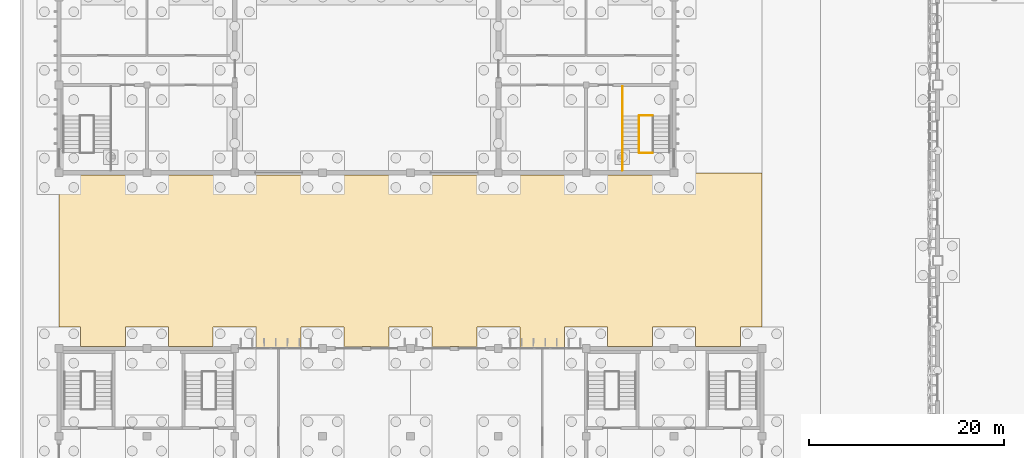
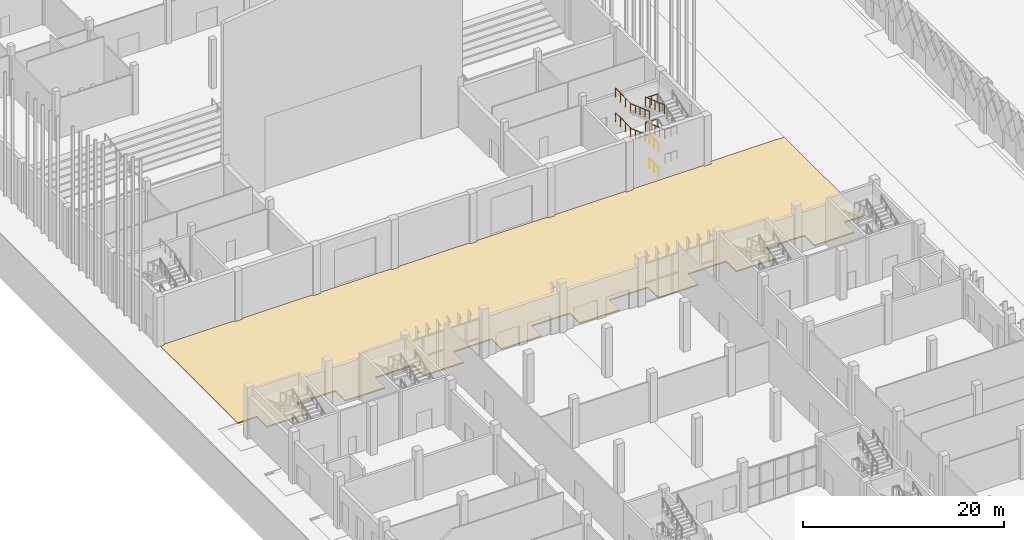
# One storey, part 149 of 198: 12 railings, 1 covering.
"""IFC4 building model written with IfcOpenShell, lengths in metres."""

from ifc_helpers import new_model, si_unit, direction, frame, origin, origin_2d, place, context, subcontext, project, spatial, polyline, circle, outline, extrude, material, layer, layer_set, constituent, constituent_set, type_object, element, save


model = new_model("IFC4")

# Units and contexts
model_context = context("Model", 3, precision=1e-05, world=origin(), true_north=direction((0.0, 1.0)))
body_context = subcontext(model_context, "Body", "Model", "MODEL_VIEW")
ifc_project = project(units=[si_unit("LENGTHUNIT", "METRE"), si_unit("AREAUNIT", "SQUARE_METRE"), si_unit("VOLUMEUNIT", "CUBIC_METRE"), si_unit("PLANEANGLEUNIT", "RADIAN"), si_unit("MASSUNIT", "GRAM", prefix="KILO")], contexts=[model_context])

# Site, building, storey
site_placement = place(None, origin())
site = spatial("IfcSite", under=ifc_project, at=site_placement, CompositionType="ELEMENT")
building_placement = place(site_placement, origin())
building = spatial("IfcBuilding", under=site, at=building_placement, Name="Opaline Strait Convention Centre", CompositionType="ELEMENT")
storey_placement = place(building_placement, origin())
storey = spatial("IfcBuildingStorey", under=building, at=storey_placement, Name="L00", CompositionType="ELEMENT", Elevation=0.0)

# Covering
ifc_material_1 = material(Name="Asphalt road surfacing")
ifc_layer = layer(ifc_material_1, 0.14990234375)
ifc_layer_set = layer_set([ifc_layer], Name="Asphalt road surfacing")
covering_type = type_object("IfcCoveringType", Name="Asphalt road surfacing 150", PredefinedType="FLOORING", material=ifc_layer_set)
covering_placement = place(storey_placement, frame((0.0, 0.0, -0.14990234375)))
element("IfcCovering", 1, at=covering_placement, inside=storey, type_object=covering_type, Name="External Stage Dock Lane surfacing", PredefinedType="FLOORING", context=body_context, shape_type="SweptSolid", body=[
    extrude(outline(polyline([(81.0, 101.205078125), (81.0, 117.0), (72.405029296875, 117.0), (72.405029296875, 116.594970703125), (71.594970703125, 116.594970703125), (71.594970703125, 116.7451171875), (63.405029296875, 116.7451171875), (63.405029296875, 116.594970703125), (62.594970703125, 116.594970703125), (62.594970703125, 116.7451171875), (54.405029296875, 116.7451171875), (54.405029296875, 116.594970703125), (53.594970703125, 116.594970703125), (53.594970703125, 116.7451171875), (45.405029296875, 116.7451171875), (45.405029296875, 116.594970703125), (44.594970703125, 116.594970703125), (44.594970703125, 116.7451171875), (36.405029296875, 116.7451171875), (36.405029296875, 116.594970703125), (35.594970703125, 116.594970703125), (35.594970703125, 116.7451171875), (27.405029296875, 116.7451171875), (27.405029296875, 116.594970703125), (26.594970703125, 116.594970703125), (26.594970703125, 116.7451171875), (18.405029296875, 116.7451171875), (18.405029296875, 116.594970703125), (17.594970703125, 116.594970703125), (17.594970703125, 116.7451171875), (9.405029296875, 116.7451171875), (9.405029296875, 116.594970703125), (9.0, 116.594970703125), (9.0, 101.205078125), (11.205078125, 101.205078125), (11.205078125, 99.205078125), (15.794921875, 99.205078125), (15.794921875, 101.205078125), (20.205078125, 101.205078125), (20.205078125, 99.205078125), (24.794921875, 99.205078125), (24.794921875, 101.205078125), (29.205078125, 101.205078125), (29.205078125, 99.10498046875), (33.794921875, 99.10498046875), (33.794921875, 101.205078125), (38.205078125, 101.205078125), (38.205078125, 99.205078125), (42.794921875, 99.205078125), (42.794921875, 101.205078125), (47.205078125, 101.205078125), (47.205078125, 99.205078125), (51.794921875, 99.205078125), (51.794921875, 101.205078125), (56.205078125, 101.205078125), (56.205078125, 99.10498046875), (60.794921875, 99.10498046875), (60.794921875, 101.205078125), (65.205078125, 101.205078125), (65.205078125, 99.205078125), (69.794921875, 99.205078125), (69.794921875, 101.205078125), (74.205078125, 101.205078125), (74.205078125, 99.205078125), (78.794921875, 99.205078125), (78.794921875, 101.205078125), (81.0, 101.205078125)])), origin(), (0.0, 0.0, 1.0), 0.14990234375),
])

# Railings
ifc_material_2 = material(Name="Steel Q355B", Category="steel")
ifc_constituent_1 = constituent(ifc_material_2, Name="Frame")
ifc_material_3 = material(Name="Safety glass, bonded interlayer", Category="glass")
ifc_constituent_2 = constituent(ifc_material_3, Name="Infill")
ifc_constituent_set = constituent_set(constituents=[ifc_constituent_1, ifc_constituent_2], Name="Steel Q355B, Safety glass, bonded interlayer")
railing_type_1 = type_object("IfcRailingType", Name="Seating guard 1100 steel and glass", PredefinedType="GUARDRAIL", material=ifc_constituent_set)
railing_1_placement = place(storey_placement, frame((69.800048828125, 122.8798828125, 1.5)))
element("IfcRailing", 2, at=railing_1_placement, inside=storey, type_object=railing_type_1, Name="L00 PSR2 stair guard 2", PredefinedType="GUARDRAIL", context=body_context, shape_type="SweptSolid", body=[
    extrude(circle(Radius=0.02392578125, at=origin_2d()), frame((0.0, 0.0, 1.076171875), z_axis=(-1.0, 0.0, 0.0), x_axis=(0.0, -1.0, 0.0)), (0.0, 0.0, 1.0), 1.35009765625),
    extrude(circle(Radius=0.02099609375, at=origin_2d()), origin(), (0.0, 0.0, 1.0), 1.052001953125),
    extrude(circle(Radius=0.02099609375, at=origin_2d()), frame((-0.675048828125, 0.0, 0.0)), (0.0, 0.0, 1.0), 1.052001953125),
    extrude(circle(Radius=0.02099609375, at=origin_2d()), frame((-1.35009765625, 0.0, 0.0)), (0.0, 0.0, 1.0), 1.052001953125),
])
railing_2_placement = place(storey_placement, frame((66.699951171875, 122.830078125, 1.5)))
element("IfcRailing", 3, at=railing_2_placement, inside=storey, type_object=railing_type_1, Name="L00 PSR2 stair guard 3", PredefinedType="GUARDRAIL", context=body_context, shape_type="SweptSolid", body=[
    extrude(circle(Radius=0.02392578125, at=origin_2d()), frame((0.0, 0.0, 1.076171875), z_axis=(0.0, 1.0, 0.0), x_axis=(-1.0, 0.0, 0.0)), (0.0, 0.0, 1.0), 3.02001953125),
    extrude(circle(Radius=0.02099609375, at=origin_2d()), origin(), (0.0, 0.0, 1.0), 1.052001953125),
    extrude(circle(Radius=0.02099609375, at=origin_2d()), frame((0.0, 1.006591796875, 0.0)), (0.0, 0.0, 1.0), 1.052001953125),
    extrude(circle(Radius=0.02099609375, at=origin_2d()), frame((0.0, 2.013427734375, 0.0)), (0.0, 0.0, 1.0), 1.052001953125),
    extrude(circle(Radius=0.02099609375, at=origin_2d()), frame((0.0, 3.02001953125, 0.0)), (0.0, 0.0, 1.0), 1.052001953125),
])
railing_3_placement = place(storey_placement, frame((68.39990234375, 122.830078125, 1.64990234375)))
element("IfcRailing", 4, at=railing_3_placement, inside=storey, type_object=railing_type_1, Name="L00 PSR2 stair guard 4", PredefinedType="GUARDRAIL", context=body_context, shape_type="SweptSolid", body=[
    extrude(circle(Radius=0.02392578125, at=origin_2d()), frame((0.0, 0.0, 1.076171875), z_axis=(0.0, -0.941735030876, 0.336355662388), x_axis=(1.0, 0.0, 0.0)), (0.0, 0.0, 1.0), 4.013916015625),
    extrude(circle(Radius=0.02099609375, at=origin_2d()), origin(), (0.0, 0.0, 1.0), 1.052001953125),
    extrude(circle(Radius=0.02099609375, at=origin_2d()), frame((0.0, -0.945068359375, 0.33740234375)), (0.0, 0.0, 1.0), 1.052001953125),
    extrude(circle(Radius=0.02099609375, at=origin_2d()), frame((0.0, -1.89013671875, 0.675048828125)), (0.0, 0.0, 1.0), 1.052001953125),
    extrude(circle(Radius=0.02099609375, at=origin_2d()), frame((0.0, -2.8349609375, 1.0126953125)), (0.0, 0.0, 1.0), 1.052001953125),
    extrude(circle(Radius=0.02099609375, at=origin_2d()), frame((0.0, -3.780029296875, 1.35009765625)), (0.0, 0.0, 1.0), 1.052001953125),
])
railing_4_placement = place(storey_placement, frame((69.800048828125, 119.0, 3.0)))
element("IfcRailing", 5, at=railing_4_placement, inside=storey, type_object=railing_type_1, Name="L00 PSR2 stair guard 5", PredefinedType="GUARDRAIL", context=body_context, shape_type="SweptSolid", body=[
    extrude(circle(Radius=0.02392578125, at=origin_2d()), frame((0.0, 0.0, 1.076171875), z_axis=(-1.0, 0.0, 0.0), x_axis=(0.0, -1.0, 0.0)), (0.0, 0.0, 1.0), 1.35009765625),
    extrude(circle(Radius=0.02099609375, at=origin_2d()), origin(), (0.0, 0.0, 1.0), 1.052001953125),
    extrude(circle(Radius=0.02099609375, at=origin_2d()), frame((-0.675048828125, 0.0, 0.0)), (0.0, 0.0, 1.0), 1.052001953125),
    extrude(circle(Radius=0.02099609375, at=origin_2d()), frame((-1.35009765625, 0.0, 0.0)), (0.0, 0.0, 1.0), 1.052001953125),
])
railing_5_placement = place(storey_placement, frame((66.699951171875, 117.25, 3.0)))
element("IfcRailing", 6, at=railing_5_placement, inside=storey, type_object=railing_type_1, Name="L00 PSR2 stair guard 6", PredefinedType="GUARDRAIL", context=body_context, shape_type="SweptSolid", body=[
    extrude(circle(Radius=0.02392578125, at=origin_2d()), frame((0.0, 0.0, 1.076171875), z_axis=(0.0, 1.0, 0.0), x_axis=(-1.0, 0.0, 0.0)), (0.0, 0.0, 1.0), 1.800048828125),
    extrude(circle(Radius=0.02099609375, at=origin_2d()), origin(), (0.0, 0.0, 1.0), 1.052001953125),
    extrude(circle(Radius=0.02099609375, at=origin_2d()), frame((0.0, 0.89990234375, 0.0)), (0.0, 0.0, 1.0), 1.052001953125),
    extrude(circle(Radius=0.02099609375, at=origin_2d()), frame((0.0, 1.800048828125, 0.0)), (0.0, 0.0, 1.0), 1.052001953125),
])
railing_6_placement = place(storey_placement, frame((69.800048828125, 122.8798828125, 4.5)))
element("IfcRailing", 7, at=railing_6_placement, inside=storey, type_object=railing_type_1, Name="L00 PSR2 stair guard 8", PredefinedType="GUARDRAIL", context=body_context, shape_type="SweptSolid", body=[
    extrude(circle(Radius=0.02392578125, at=origin_2d()), frame((0.0, 0.0, 1.076171875), z_axis=(-1.0, 0.0, 0.0), x_axis=(0.0, -1.0, 0.0)), (0.0, 0.0, 1.0), 1.35009765625),
    extrude(circle(Radius=0.02099609375, at=origin_2d()), origin(), (0.0, 0.0, 1.0), 1.052001953125),
    extrude(circle(Radius=0.02099609375, at=origin_2d()), frame((-0.675048828125, 0.0, 0.0)), (0.0, 0.0, 1.0), 1.052001953125),
    extrude(circle(Radius=0.02099609375, at=origin_2d()), frame((-1.35009765625, 0.0, 0.0)), (0.0, 0.0, 1.0), 1.052001953125),
])
railing_7_placement = place(storey_placement, frame((66.699951171875, 122.830078125, 4.5)))
element("IfcRailing", 8, at=railing_7_placement, inside=storey, type_object=railing_type_1, Name="L00 PSR2 stair guard 9", PredefinedType="GUARDRAIL", context=body_context, shape_type="SweptSolid", body=[
    extrude(circle(Radius=0.02392578125, at=origin_2d()), frame((0.0, 0.0, 1.076171875), z_axis=(0.0, 1.0, 0.0), x_axis=(-1.0, 0.0, 0.0)), (0.0, 0.0, 1.0), 3.02001953125),
    extrude(circle(Radius=0.02099609375, at=origin_2d()), origin(), (0.0, 0.0, 1.0), 1.052001953125),
    extrude(circle(Radius=0.02099609375, at=origin_2d()), frame((0.0, 1.006591796875, 0.0)), (0.0, 0.0, 1.0), 1.052001953125),
    extrude(circle(Radius=0.02099609375, at=origin_2d()), frame((0.0, 2.013427734375, 0.0)), (0.0, 0.0, 1.0), 1.052001953125),
    extrude(circle(Radius=0.02099609375, at=origin_2d()), frame((0.0, 3.02001953125, 0.0)), (0.0, 0.0, 1.0), 1.052001953125),
])
railing_8_placement = place(storey_placement, frame((68.39990234375, 122.830078125, 4.64990234375)))
element("IfcRailing", 9, at=railing_8_placement, inside=storey, type_object=railing_type_1, Name="L00 PSR2 stair guard 10", PredefinedType="GUARDRAIL", context=body_context, shape_type="SweptSolid", body=[
    extrude(circle(Radius=0.02392578125, at=origin_2d()), frame((0.0, 0.0, 1.076171875), z_axis=(0.0, -0.941735030876, 0.336355662388), x_axis=(1.0, 0.0, 0.0)), (0.0, 0.0, 1.0), 4.013916015625),
    extrude(circle(Radius=0.02099609375, at=origin_2d()), origin(), (0.0, 0.0, 1.0), 1.052001953125),
    extrude(circle(Radius=0.02099609375, at=origin_2d()), frame((0.0, -0.945068359375, 0.33740234375)), (0.0, 0.0, 1.0), 1.052001953125),
    extrude(circle(Radius=0.02099609375, at=origin_2d()), frame((0.0, -1.89013671875, 0.675048828125)), (0.0, 0.0, 1.0), 1.052001953125),
    extrude(circle(Radius=0.02099609375, at=origin_2d()), frame((0.0, -2.8349609375, 1.0126953125)), (0.0, 0.0, 1.0), 1.052001953125),
    extrude(circle(Radius=0.02099609375, at=origin_2d()), frame((0.0, -3.780029296875, 1.35009765625)), (0.0, 0.0, 1.0), 1.052001953125),
])
railing_9_placement = place(storey_placement, frame((69.800048828125, 119.0, 0.0)))
element("IfcRailing", 10, at=railing_9_placement, inside=storey, type_object=railing_type_1, Name="L00 PSR2 stair guard 11", PredefinedType="GUARDRAIL", context=body_context, shape_type="SweptSolid", body=[
    extrude(circle(Radius=0.02392578125, at=origin_2d()), frame((0.0, 0.0, 1.076171875), z_axis=(-1.0, 0.0, 0.0), x_axis=(0.0, -1.0, 0.0)), (0.0, 0.0, 1.0), 1.35009765625),
    extrude(circle(Radius=0.02099609375, at=origin_2d()), origin(), (0.0, 0.0, 1.0), 1.052001953125),
    extrude(circle(Radius=0.02099609375, at=origin_2d()), frame((-0.675048828125, 0.0, 0.0)), (0.0, 0.0, 1.0), 1.052001953125),
    extrude(circle(Radius=0.02099609375, at=origin_2d()), frame((-1.35009765625, 0.0, 0.0)), (0.0, 0.0, 1.0), 1.052001953125),
])
railing_10_placement = place(storey_placement, frame((66.699951171875, 117.25, 0.0)))
element("IfcRailing", 11, at=railing_10_placement, inside=storey, type_object=railing_type_1, Name="L00 PSR2 stair guard 12", PredefinedType="GUARDRAIL", context=body_context, shape_type="SweptSolid", body=[
    extrude(circle(Radius=0.02392578125, at=origin_2d()), frame((0.0, 0.0, 1.076171875), z_axis=(0.0, 1.0, 0.0), x_axis=(-1.0, 0.0, 0.0)), (0.0, 0.0, 1.0), 1.800048828125),
    extrude(circle(Radius=0.02099609375, at=origin_2d()), origin(), (0.0, 0.0, 1.0), 1.052001953125),
    extrude(circle(Radius=0.02099609375, at=origin_2d()), frame((0.0, 0.89990234375, 0.0)), (0.0, 0.0, 1.0), 1.052001953125),
    extrude(circle(Radius=0.02099609375, at=origin_2d()), frame((0.0, 1.800048828125, 0.0)), (0.0, 0.0, 1.0), 1.052001953125),
])
ifc_material_4 = material(Name="Stainless steel 304", Category="steel")
railing_type_2 = type_object("IfcRailingType", Name="Stair handrail 900", PredefinedType="HANDRAIL", material=ifc_material_4)
for number, where, name in (
    (12, (66.699951171875, 122.830078125, 1.64990234375), "L00 PSR2 stair handrail 2"),
    (13, (66.699951171875, 122.830078125, 4.64990234375), "L00 PSR2 stair handrail 4"),
):
    element("IfcRailing", number, at=place(storey_placement, frame(where)), inside=storey, type_object=railing_type_2, Name=name, PredefinedType="HANDRAIL", context=body_context, shape_type="SweptSolid", body=[
        extrude(circle(Radius=0.02392578125, at=origin_2d()), frame((0.0, 0.0, 0.8759765625), z_axis=(0.0, -0.941735030876, 0.336355662388), x_axis=(1.0, 0.0, 0.0)), (0.0, 0.0, 1.0), 4.013916015625),
        extrude(circle(Radius=0.02099609375, at=origin_2d()), origin(), (0.0, 0.0, 1.0), 0.851806640625),
        extrude(circle(Radius=0.02099609375, at=origin_2d()), frame((0.0, -0.945068359375, 0.33740234375)), (0.0, 0.0, 1.0), 0.851806640625),
        extrude(circle(Radius=0.02099609375, at=origin_2d()), frame((0.0, -1.89013671875, 0.675048828125)), (0.0, 0.0, 1.0), 0.851806640625),
        extrude(circle(Radius=0.02099609375, at=origin_2d()), frame((0.0, -2.8349609375, 1.0126953125)), (0.0, 0.0, 1.0), 0.851806640625),
        extrude(circle(Radius=0.02099609375, at=origin_2d()), frame((0.0, -3.780029296875, 1.35009765625)), (0.0, 0.0, 1.0), 0.851806640625),
    ])

save(model, "model.ifc")
